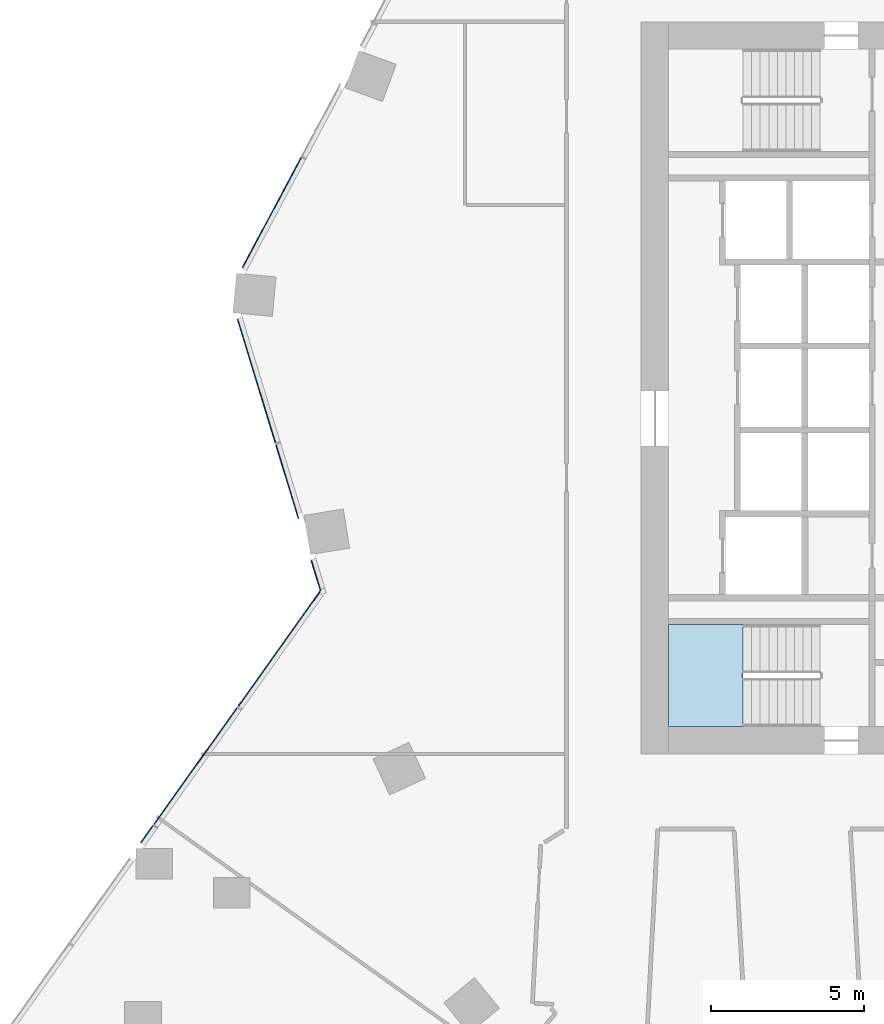
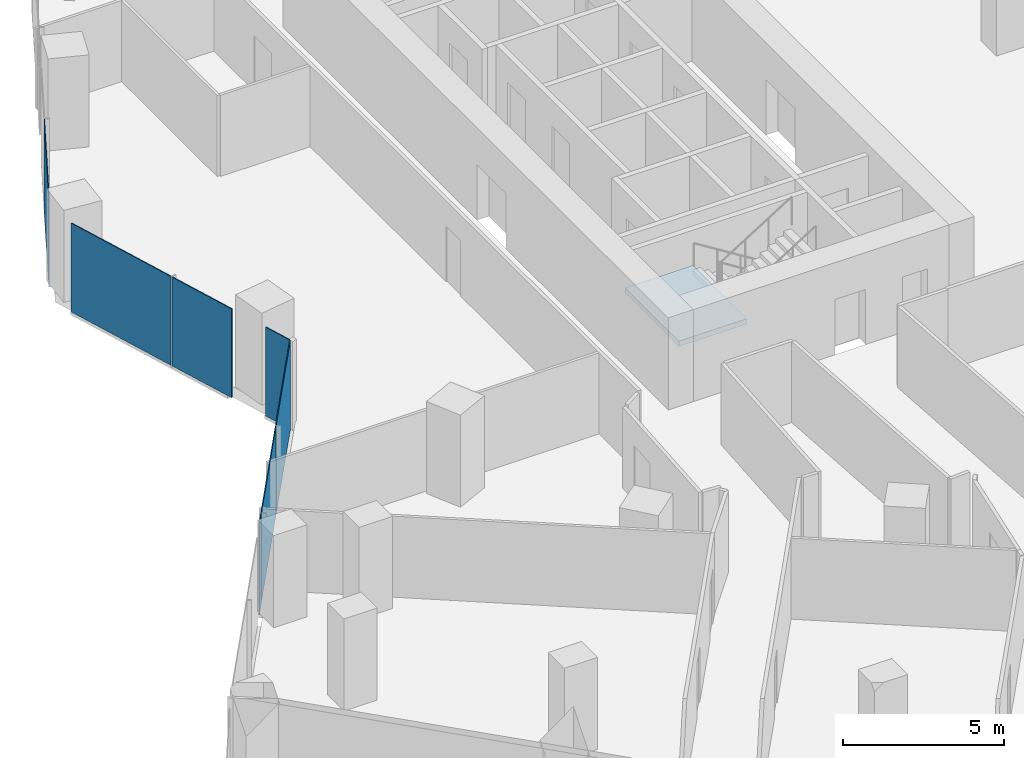
# One storey, part 18 of 31: 7 plates, 1 slab, 4 elements without a shape of their own.
"""IFC4 building model written with IfcOpenShell, lengths in metres."""

from ifc_helpers import new_model, si_unit, direction, frame, origin, origin_2d, place, context, subcontext, project, spatial, polyline, rectangle, outline, extrude, material, layer, layer_set, type_object, element, aggregate, save


model = new_model("IFC4")

# Units and contexts
model_context = context("Model", 3, precision=1e-05, world=origin(), true_north=direction((0.0, 1.0)))
body_context = subcontext(model_context, "Body", "Model", "MODEL_VIEW")
ifc_project = project(units=[si_unit("LENGTHUNIT", "METRE"), si_unit("AREAUNIT", "SQUARE_METRE"), si_unit("VOLUMEUNIT", "CUBIC_METRE"), si_unit("PLANEANGLEUNIT", "RADIAN"), si_unit("MASSUNIT", "GRAM", prefix="KILO")], contexts=[model_context])

# Site, building, storey
site_placement = place(None, origin())
site = spatial("IfcSite", under=ifc_project, at=site_placement, CompositionType="ELEMENT")
building_placement = place(site_placement, origin())
building = spatial("IfcBuilding", under=site, at=building_placement, Name="Orlundy Tower", CompositionType="ELEMENT")
storey_placement = place(building_placement, frame((0.0, 0.0, 87.699951171875)))
storey = spatial("IfcBuildingStorey", under=building, at=storey_placement, Name="L21", CompositionType="ELEMENT", Elevation=87.699951171875)

# Curtain wall, plates
ifc_material_1 = material(Name="Aluminium bronze anodised", Category="aluminium")
curtain_wall_type = type_object("IfcCurtainWallType", Name="CW1 wall", PredefinedType="NOTDEFINED", material=ifc_material_1)
curtain_wall_1_placement = place(storey_placement, origin())
curtain_wall_1 = element("IfcCurtainWall", 1, at=curtain_wall_1_placement, inside=storey, type_object=curtain_wall_type, Name="CW1 run 00", PredefinedType="NOTDEFINED")
ifc_material_2 = material(Name="Tinted glass", Category="glass")
ifc_layer_1 = layer(ifc_material_2, 0.031982421875)
ifc_layer_set_1 = layer_set([ifc_layer_1], Name="CW1 glass panel 32")
plate_type = type_object("IfcPlateType", Name="CW1 glass panel 32", PredefinedType="CURTAIN_PANEL", material=ifc_layer_set_1)
plate_1_placement = place(storey_placement, frame((-35.197998046875, -14.62255859375, -0.27978515625), z_axis=(0.0, 0.0, 1.0), x_axis=(0.580700988829, 0.814116921316, 0.0)))
plate_1 = element("IfcPlate", 2, at=plate_1_placement, type_object=plate_type, Name="CW1 panel", PredefinedType="CURTAIN_PANEL", context=body_context, shape_type="SweptSolid", body=[
    extrude(rectangle(XDim=0.681640625, YDim=0.031982421875, at=origin_2d()), origin(), (0.0, 0.0, 1.0), 3.3798828125),
])
plate_2_placement = place(storey_placement, frame((-33.604736328125, -12.388916015625, -0.27978515625), z_axis=(0.0, 0.0, 1.0), x_axis=(0.580700988829, 0.814116921316, 0.0)))
plate_2 = element("IfcPlate", 3, at=plate_2_placement, type_object=plate_type, Name="CW1 panel", PredefinedType="CURTAIN_PANEL", context=body_context, shape_type="SweptSolid", body=[
    extrude(rectangle(XDim=4.70556640625, YDim=0.031982421875, at=origin_2d()), origin(), (0.0, 0.0, 1.0), 3.3798828125),
])
plate_3_placement = place(storey_placement, frame((-30.859375, -8.540283203125, -0.27978515625), z_axis=(0.0, 0.0, 1.0), x_axis=(0.580700988829, 0.814116921316, 0.0)))
plate_3 = element("IfcPlate", 4, at=plate_3_placement, type_object=plate_type, Name="CW1 panel", PredefinedType="CURTAIN_PANEL", context=body_context, shape_type="SweptSolid", body=[
    extrude(rectangle(XDim=4.649658203125, YDim=0.031982421875, at=origin_2d()), origin(), (0.0, 0.0, 1.0), 3.3798828125),
])
aggregate(curtain_wall_1, [plate_1, plate_2, plate_3])

curtain_wall_2_placement = place(storey_placement, origin())
curtain_wall_2 = element("IfcCurtainWall", 5, at=curtain_wall_2_placement, inside=storey, type_object=curtain_wall_type, Name="CW1 run 01", PredefinedType="NOTDEFINED")
plate_4_placement = place(storey_placement, frame((-29.660888671875, -6.15234375, -0.27978515625), z_axis=(0.0, 0.0, 1.0), x_axis=(-0.292389783533, 0.956299228529, 0.0)))
plate_4 = element("IfcPlate", 6, at=plate_4_placement, type_object=plate_type, Name="CW1 panel", PredefinedType="CURTAIN_PANEL", context=body_context, shape_type="SweptSolid", body=[
    extrude(rectangle(XDim=1.035888671875, YDim=0.031982421875, at=origin_2d()), origin(), (0.0, 0.0, 1.0), 3.3798828125),
])
plate_5_placement = place(storey_placement, frame((-30.603515625, -3.0693359375, -0.27978515625), z_axis=(0.0, 0.0, 1.0), x_axis=(-0.292389783533, 0.956299228529, 0.0)))
plate_5 = element("IfcPlate", 7, at=plate_5_placement, type_object=plate_type, Name="CW1 panel", PredefinedType="CURTAIN_PANEL", context=body_context, shape_type="SweptSolid", body=[
    extrude(rectangle(XDim=2.541015625, YDim=0.031982421875, at=origin_2d()), origin(), (0.0, 0.0, 1.0), 3.3798828125),
])
plate_6_placement = place(storey_placement, frame((-31.609619140625, 0.221435546875, -0.27978515625), z_axis=(0.0, 0.0, 1.0), x_axis=(-0.292389783533, 0.956299228529, 0.0)))
plate_6 = element("IfcPlate", 8, at=plate_6_placement, type_object=plate_type, Name="CW1 panel", PredefinedType="CURTAIN_PANEL", context=body_context, shape_type="SweptSolid", body=[
    extrude(rectangle(XDim=4.2412109375, YDim=0.031982421875, at=origin_2d()), origin(), (0.0, 0.0, 1.0), 3.3798828125),
])
aggregate(curtain_wall_2, [plate_4, plate_5, plate_6])

# Curtain wall, plate
curtain_wall_3_placement = place(storey_placement, origin())
curtain_wall_3 = element("IfcCurtainWall", 9, at=curtain_wall_3_placement, inside=storey, type_object=curtain_wall_type, Name="CW1 run 02", PredefinedType="NOTDEFINED")
plate_7_placement = place(storey_placement, frame((-31.10595703125, 5.74853515625, -0.27978515625), z_axis=(0.0, 0.0, 1.0), x_axis=(0.469445471129, 0.882961465544, 0.0)))
plate_7 = element("IfcPlate", 10, at=plate_7_placement, type_object=plate_type, Name="CW1 panel", PredefinedType="CURTAIN_PANEL", context=body_context, shape_type="SweptSolid", body=[
    extrude(rectangle(XDim=4.09326171875, YDim=0.031982421875, at=origin_2d()), origin(), (0.0, 0.0, 1.0), 3.3798828125),
])
aggregate(curtain_wall_3, [plate_7])

# Stair, slab
ifc_material_3 = material(Name="Concrete C50/60", Category="concrete")
stair_type = type_object("IfcStairType", Name="Exit Stair 20 risers", PredefinedType="HALF_TURN_STAIR", material=ifc_material_3)
stair_placement = place(storey_placement, origin())
stair = element("IfcStair", 11, at=stair_placement, inside=storey, type_object=stair_type, Name="L21 Exit Stair ST-W2", PredefinedType="HALF_TURN_STAIR")
ifc_material_4 = material(Name="Concrete C50/60", Category="concrete")
ifc_layer_2 = layer(ifc_material_4, 0.199951171875)
ifc_layer_set_2 = layer_set([ifc_layer_2], Name="Exit Stair Landing")
slab_type = type_object("IfcSlabType", Name="Exit Stair Landing", PredefinedType="LANDING", material=ifc_layer_set_2)
slab_placement = place(storey_placement, frame((0.0, 0.0, 1.550048828125)))
slab = element("IfcSlab", 12, at=slab_placement, type_object=slab_type, Name="ST-W2 landing 1", PredefinedType="LANDING", context=body_context, shape_type="SweptSolid", body=[
    extrude(outline(polyline([(-15.659912109375, -7.75), (-18.10009765625, -7.75), (-18.10009765625, -11.10009765625), (-15.659912109375, -11.10009765625), (-15.659912109375, -7.75)])), origin(), (0.0, 0.0, 1.0), 0.199951171875),
])
aggregate(stair, [slab])

save(model, "model.ifc")
